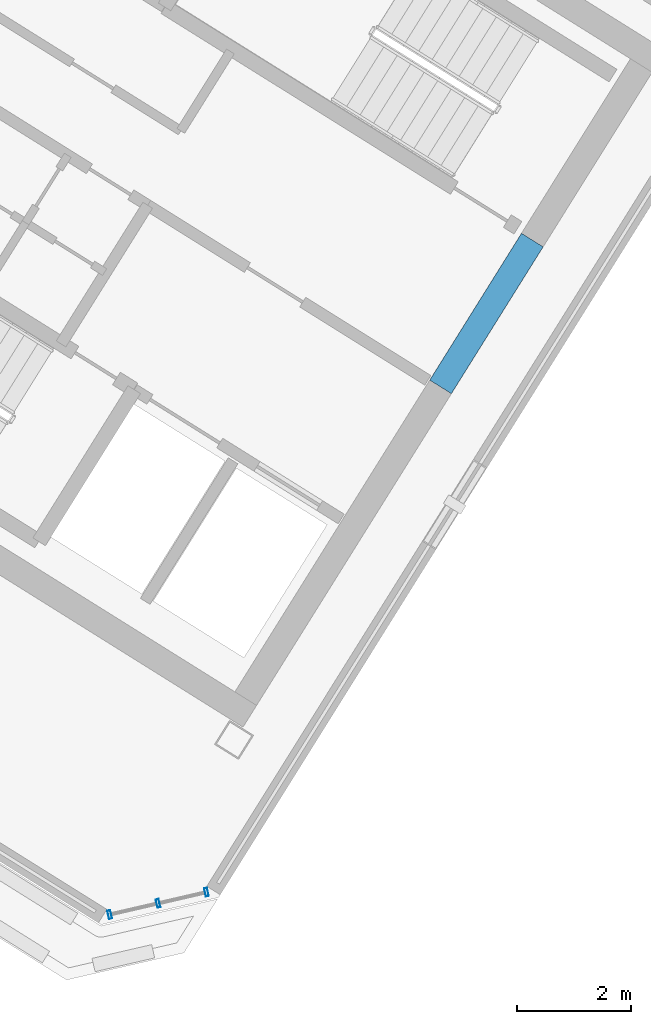
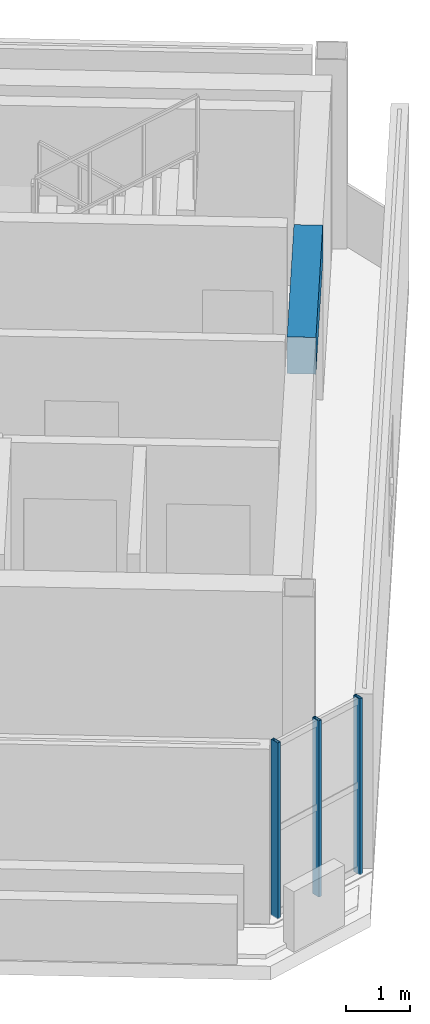
# One storey, part 2 of 9: 3 members, 1 beam, 1 element without a shape of its own.
"""IFC4 building model written with IfcOpenShell, lengths in metres."""

from ifc_helpers import new_model, si_unit, direction, frame, origin, origin_2d, place, context, subcontext, project, spatial, rectangle, hollow_rectangle, extrude, source, transform, mapped, material, material_profile, profile_set, type_object, element, aggregate, save


model = new_model("IFC4")

# Units and contexts
model_context = context("Model", 3, precision=1e-05, world=origin(), true_north=direction((0.0, 1.0)))
body_context = subcontext(model_context, "Body", "Model", "MODEL_VIEW")
ifc_project = project(units=[si_unit("LENGTHUNIT", "METRE"), si_unit("AREAUNIT", "SQUARE_METRE"), si_unit("VOLUMEUNIT", "CUBIC_METRE"), si_unit("PLANEANGLEUNIT", "RADIAN"), si_unit("MASSUNIT", "GRAM", prefix="KILO")], contexts=[model_context])

# Site, building, storey
site_placement = place(None, origin())
site = spatial("IfcSite", under=ifc_project, at=site_placement, CompositionType="ELEMENT")
building_placement = place(site_placement, origin())
building = spatial("IfcBuilding", under=site, at=building_placement, Name="Tlacorven Tower", CompositionType="ELEMENT")
storey_placement = place(building_placement, frame((0.0, 0.0, 306.0)))
storey = spatial("IfcBuildingStorey", under=building, at=storey_placement, Name="L78", CompositionType="ELEMENT", Elevation=306.0)

# Beam
ifc_material_1 = material(Name="Concrete C60/75", Category="concrete")
ifc_material_profile_1 = material_profile(ifc_material_1, rectangle(XDim=0.449951171875, YDim=0.699951171875, at=origin_2d()), Name="RC 450X700")
ifc_profile_set_1 = profile_set([ifc_material_profile_1], Name="Concrete C60/75")
beam_type = type_object("IfcBeamType", Name="BM-LNT-700", PredefinedType="LINTEL", material=ifc_profile_set_1)
shared_shape_1 = source(origin(), body_context, "Body", "SweptSolid", [
    extrude(rectangle(XDim=0.449951171875, YDim=0.699951171875, at=origin_2d()), origin(), (0.0, 0.0, 1.0), 3.050048828125),
])
beam_placement = place(storey_placement, frame((38.2998046875, 20.890625, 2.969970703125), z_axis=(-0.529984549635, -0.848007297815, 0.0), x_axis=(0.848007297815, -0.529984549635, 0.0)))
element("IfcBeam", 1, at=beam_placement, inside=storey, type_object=beam_type, Name="L78 W core coupling lintel beam E1", PredefinedType="LINTEL", context=body_context, shape_type="MappedRepresentation", body=[
    mapped(shared_shape_1, transform((0.0, 0.0, 0.0), scale=1.0)),
])

# Curtain wall, members
ifc_material_2 = material(Name="Dark solar low-E double glazing in aluminium frame", Category="aluminium")
curtain_wall_type = type_object("IfcCurtainWallType", Name="CW-CRN-LANTERN", PredefinedType="USERDEFINED", material=ifc_material_2)
curtain_wall_placement = place(storey_placement, origin())
curtain_wall = element("IfcCurtainWall", 2, at=curtain_wall_placement, inside=storey, type_object=curtain_wall_type, Name="L78 CW-CRN-LANTERN Curtain Wall 360", ObjectType="UNITISED CURTAIN WALL", PredefinedType="USERDEFINED")
ifc_material_3 = material(Name="Aluminium 6063-T6 anodised", Category="aluminium")
ifc_material_profile_2 = material_profile(ifc_material_3, hollow_rectangle(XDim=0.054931640625, YDim=0.14990234375, WallThickness=0.00390625, at=origin_2d()), Name="ALU MULLION 55X150")
ifc_profile_set_2 = profile_set([ifc_material_profile_2], Name="Aluminium 6063-T6 anodised")
member_type = type_object("IfcMemberType", Name="CWM-04", PredefinedType="MULLION", material=ifc_profile_set_2)
shared_shape_2 = source(origin(), body_context, "Body", "SweptSolid", [
    extrude(hollow_rectangle(XDim=0.054931640625, YDim=0.14990234375, WallThickness=0.00390625, at=origin_2d()), origin(), (0.0, 0.0, 1.0), 3.35009765625),
])
member_1_placement = place(storey_placement, frame((32.560791015625, 9.404296875, -0.02001953125), z_axis=(0.0, 0.0, 1.0), x_axis=(-0.97437037555, -0.22494970827, 0.0)))
member_1 = element("IfcMember", 3, at=member_1_placement, type_object=member_type, Name="CW-L78-360 Mullion 1", PredefinedType="MULLION", context=body_context, shape_type="MappedRepresentation", body=[
    mapped(shared_shape_2, transform((0.0, 0.0, 0.0), scale=1.0)),
])
member_2_placement = place(storey_placement, frame((31.7080078125, 9.20751953125, -0.02001953125), z_axis=(0.0, 0.0, 1.0), x_axis=(-0.97437037555, -0.22494970827, 0.0)))
member_2 = element("IfcMember", 4, at=member_2_placement, type_object=member_type, Name="CW-L78-360 Mullion 2", PredefinedType="MULLION", context=body_context, shape_type="MappedRepresentation", body=[
    mapped(shared_shape_2, transform((0.0, 0.0, 0.0), scale=1.0)),
])
member_3_placement = place(storey_placement, frame((30.855224609375, 9.010498046875, -0.02001953125), z_axis=(0.0, 0.0, 1.0), x_axis=(-0.97437037555, -0.22494970827, 0.0)))
member_3 = element("IfcMember", 5, at=member_3_placement, type_object=member_type, Name="CW-L78-360 Mullion 3", PredefinedType="MULLION", context=body_context, shape_type="MappedRepresentation", body=[
    mapped(shared_shape_2, transform((0.0, 0.0, 0.0), scale=1.0)),
])
aggregate(curtain_wall, [member_1, member_2, member_3])

save(model, "model.ifc")
